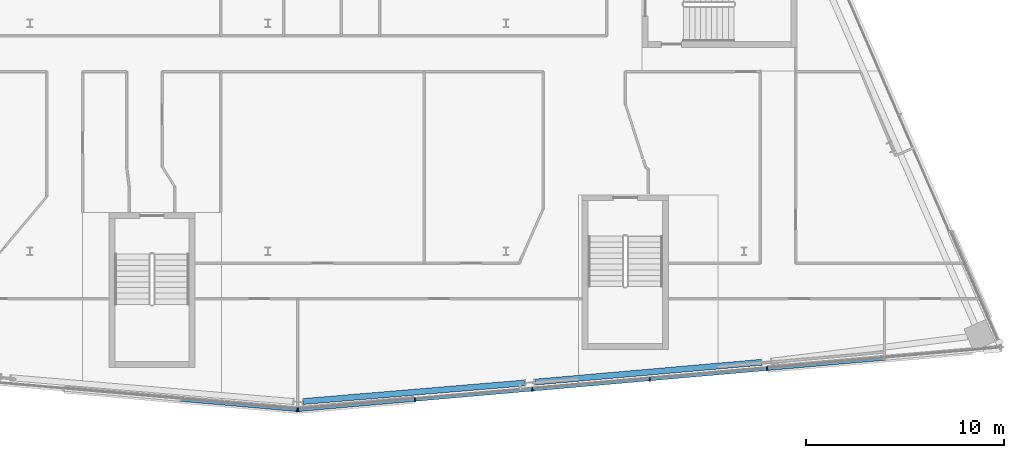
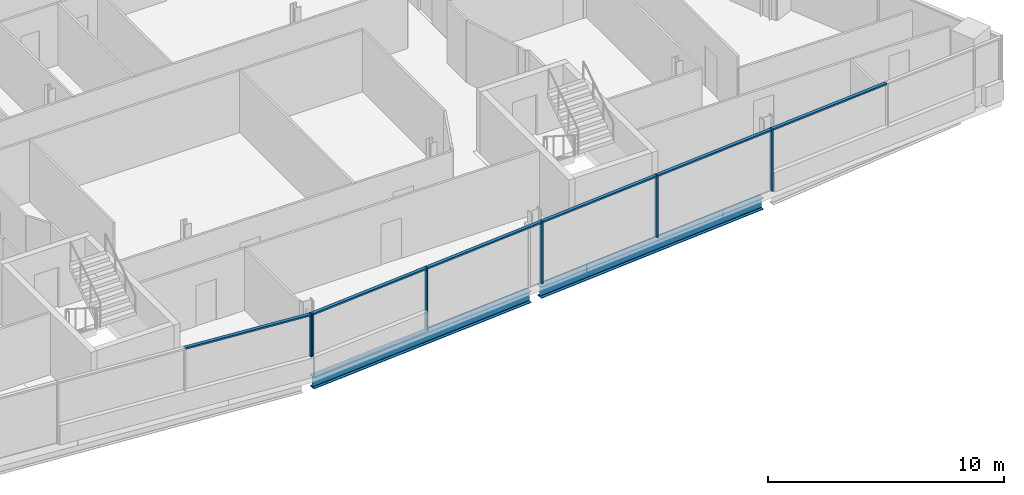
# One storey, part 7 of 22: 12 members, 2 beams, 2 elements without a shape of their own.
"""IFC4 building model written with IfcOpenShell, lengths in metres."""

from ifc_helpers import new_model, si_unit, direction, frame, origin, origin_2d, place, context, subcontext, project, spatial, rectangle, i_section, extrude, material, material_profile, profile_set, type_object, element, aggregate, save


model = new_model("IFC4")

# Units and contexts
model_context = context("Model", 3, precision=1e-05, world=origin(), true_north=direction((0.0, 1.0)))
body_context = subcontext(model_context, "Body", "Model", "MODEL_VIEW")
ifc_project = project(units=[si_unit("LENGTHUNIT", "METRE"), si_unit("AREAUNIT", "SQUARE_METRE"), si_unit("VOLUMEUNIT", "CUBIC_METRE"), si_unit("PLANEANGLEUNIT", "RADIAN"), si_unit("MASSUNIT", "GRAM", prefix="KILO")], contexts=[model_context])

# Site, building, storey
site_placement = place(None, origin())
site = spatial("IfcSite", under=ifc_project, at=site_placement, CompositionType="ELEMENT")
building_placement = place(site_placement, origin())
building = spatial("IfcBuilding", under=site, at=building_placement, Name="Wharfspan Tower", CompositionType="ELEMENT")
storey_placement = place(building_placement, frame((0.0, 0.0, 246.699951)))
storey = spatial("IfcBuildingStorey", under=building, at=storey_placement, Name="L62", CompositionType="ELEMENT", Elevation=246.699951)

# Beams
ifc_material_1 = material(Name="Steel S355J2", Category="steel")
ifc_material_profile_1 = material_profile(ifc_material_1, i_section(OverallWidth=0.300049, OverallDepth=0.600098, WebThickness=0.015381, FlangeThickness=0.030029, FilletRadius=0.0271, at=origin_2d()))
ifc_profile_set_1 = profile_set([ifc_material_profile_1], Name="Steel S355J2")
beam_type = type_object("IfcBeamType", Name="Edge beam HEB 600", PredefinedType="SPANDREL", material=ifc_profile_set_1)
beam_1_placement = place(storey_placement, frame((49.783691, 3.923828, -0.699951), z_axis=(0.996517, 0.083395, 0.0), x_axis=(-0.083395, 0.996517, 0.0)))
element("IfcBeam", 1, at=beam_1_placement, inside=storey, type_object=beam_type, Name="Edge beam S2 L62 PS1.3 to PS2.1", PredefinedType="SPANDREL", context=body_context, shape_type="SweptSolid", body=[
    extrude(i_section(OverallWidth=0.300049, OverallDepth=0.600098, WebThickness=0.015381, FlangeThickness=0.030029, FilletRadius=0.0271, at=origin_2d()), origin(), (0.0, 0.0, 1.0), 11.200684),
])
beam_2_placement = place(storey_placement, frame((61.459473, 4.901855, -0.699951), z_axis=(0.996195, 0.087157, 0.0), x_axis=(-0.087157, 0.996195, 0.0)))
element("IfcBeam", 2, at=beam_2_placement, inside=storey, type_object=beam_type, Name="Edge beam S2 L62 PS2.1 to PS2.2", PredefinedType="SPANDREL", context=body_context, shape_type="SweptSolid", body=[
    extrude(i_section(OverallWidth=0.300049, OverallDepth=0.600098, WebThickness=0.015381, FlangeThickness=0.030029, FilletRadius=0.0271, at=origin_2d()), origin(), (0.0, 0.0, 1.0), 11.462402),
])

# Curtain wall, member
ifc_material_2 = material(Name="Aluminium 6063-T6", Category="aluminium")
curtain_wall_type = type_object("IfcCurtainWallType", Name="CURTAIN WALL FACETED FRONT", PredefinedType="NOTDEFINED", material=ifc_material_2)
curtain_wall_1_placement = place(storey_placement, origin())
curtain_wall_1 = element("IfcCurtainWall", 3, at=curtain_wall_1_placement, inside=storey, type_object=curtain_wall_type, Name="Curtain wall S1", PredefinedType="NOTDEFINED")
ifc_material_profile_2 = material_profile(ifc_material_2, rectangle(XDim=0.199951, YDim=0.060059, at=origin_2d()))
ifc_profile_set_2 = profile_set([ifc_material_profile_2], Name="Aluminium 6063-T6")
member_type_1 = type_object("IfcMemberType", Name="MULLION FACETED FRONT 60x200", PredefinedType="MULLION", material=ifc_profile_set_2)
member_1_placement = place(storey_placement, frame((49.470215, 3.496826, 1.0), z_axis=(0.0, 0.0, 1.0), x_axis=(0.087156, 0.996197, 0.0)))
member_1 = element("IfcMember", 4, at=member_1_placement, type_object=member_type_1, Name="Curtain wall S1 mullion 6", PredefinedType="MULLION", context=body_context, shape_type="SweptSolid", body=[
    extrude(rectangle(XDim=0.199951, YDim=0.060059, at=origin_2d()), origin(), (0.0, 0.0, 1.0), 2.199951),
])

# Curtain wall, members
curtain_wall_2_placement = place(storey_placement, origin())
curtain_wall_2 = element("IfcCurtainWall", 5, at=curtain_wall_2_placement, inside=storey, type_object=curtain_wall_type, Name="Curtain wall S2", PredefinedType="NOTDEFINED")
member_2_placement = place(storey_placement, frame((49.529785, 3.496826, 1.0), z_axis=(0.0, 0.0, 1.0), x_axis=(-0.087156, 0.996197, 0.0)))
member_2 = element("IfcMember", 6, at=member_2_placement, type_object=member_type_1, Name="Curtain wall S2 mullion 1", PredefinedType="MULLION", context=body_context, shape_type="SweptSolid", body=[
    extrude(rectangle(XDim=0.199951, YDim=0.060059, at=origin_2d()), origin(), (0.0, 0.0, 1.0), 2.199951),
])
member_3_placement = place(storey_placement, frame((55.416748, 4.011719, 0.0), z_axis=(0.0, 0.0, 1.0), x_axis=(-0.087156, 0.996197, 0.0)))
member_3 = element("IfcMember", 7, at=member_3_placement, type_object=member_type_1, Name="Curtain wall S2 mullion 2", PredefinedType="MULLION", context=body_context, shape_type="SweptSolid", body=[
    extrude(rectangle(XDim=0.199951, YDim=0.060059, at=origin_2d()), origin(), (0.0, 0.0, 1.0), 3.199951),
])
member_4_placement = place(storey_placement, frame((61.333252, 4.529541, 0.0), z_axis=(0.0, 0.0, 1.0), x_axis=(-0.087156, 0.996197, 0.0)))
member_4 = element("IfcMember", 8, at=member_4_placement, type_object=member_type_1, Name="Curtain wall S2 mullion 3", PredefinedType="MULLION", context=body_context, shape_type="SweptSolid", body=[
    extrude(rectangle(XDim=0.199951, YDim=0.060059, at=origin_2d()), origin(), (0.0, 0.0, 1.0), 3.199951),
])
member_5_placement = place(storey_placement, frame((67.25, 5.047119, 0.0), z_axis=(0.0, 0.0, 1.0), x_axis=(-0.087156, 0.996197, 0.0)))
member_5 = element("IfcMember", 9, at=member_5_placement, type_object=member_type_1, Name="Curtain wall S2 mullion 4", PredefinedType="MULLION", context=body_context, shape_type="SweptSolid", body=[
    extrude(rectangle(XDim=0.199951, YDim=0.060059, at=origin_2d()), origin(), (0.0, 0.0, 1.0), 3.199951),
])
member_6_placement = place(storey_placement, frame((73.166748, 5.564697, 0.0), z_axis=(0.0, 0.0, 1.0), x_axis=(-0.087156, 0.996197, 0.0)))
member_6 = element("IfcMember", 10, at=member_6_placement, type_object=member_type_1, Name="Curtain wall S2 mullion 5", PredefinedType="MULLION", context=body_context, shape_type="SweptSolid", body=[
    extrude(rectangle(XDim=0.199951, YDim=0.060059, at=origin_2d()), origin(), (0.0, 0.0, 1.0), 3.199951),
])

# Member
ifc_material_profile_3 = material_profile(ifc_material_2, rectangle(XDim=0.159912, YDim=0.080078, at=origin_2d()))
ifc_profile_set_3 = profile_set([ifc_material_profile_3], Name="Aluminium 6063-T6")
member_type_2 = type_object("IfcMemberType", Name="TRANSOM FACETED FRONT 80x160", PredefinedType="USERDEFINED", material=ifc_profile_set_3)
member_7_placement = place(storey_placement, frame((43.629883, 4.007812, 3.160156), z_axis=(0.996192, -0.087191, 0.0), x_axis=(0.087191, 0.996192, 0.0)))
member_7 = element("IfcMember", 11, at=member_7_placement, type_object=member_type_2, Name="Curtain wall S1 transom 5", ObjectType="TRANSOM", PredefinedType="USERDEFINED", context=body_context, shape_type="SweptSolid", body=[
    extrude(rectangle(XDim=0.159912, YDim=0.080078, at=origin_2d()), origin(), (0.0, 0.0, 1.0), 5.83252),
])

aggregate(curtain_wall_1, [member_1, member_7])

member_8_placement = place(storey_placement, frame((49.559814, 3.499268, 3.160156), z_axis=(0.996191, 0.087193, 0.0), x_axis=(-0.087193, 0.996191, 0.0)))
member_8 = element("IfcMember", 12, at=member_8_placement, type_object=member_type_2, Name="Curtain wall S2 transom 1", ObjectType="TRANSOM", PredefinedType="USERDEFINED", context=body_context, shape_type="SweptSolid", body=[
    extrude(rectangle(XDim=0.159912, YDim=0.080078, at=origin_2d()), origin(), (0.0, 0.0, 1.0), 5.849121),
])

member_9_placement = place(storey_placement, frame((55.446533, 4.014404, 3.160156), z_axis=(0.996194, 0.087162, 0.0), x_axis=(-0.087162, 0.996194, 0.0)))
member_9 = element("IfcMember", 13, at=member_9_placement, type_object=member_type_2, Name="Curtain wall S2 transom 2", ObjectType="TRANSOM", PredefinedType="USERDEFINED", context=body_context, shape_type="SweptSolid", body=[
    extrude(rectangle(XDim=0.159912, YDim=0.080078, at=origin_2d()), origin(), (0.0, 0.0, 1.0), 5.879395),
])

member_10_placement = place(storey_placement, frame((61.363281, 4.531982, 3.160156), z_axis=(0.996194, 0.087162, 0.0), x_axis=(-0.087162, 0.996194, 0.0)))
member_10 = element("IfcMember", 14, at=member_10_placement, type_object=member_type_2, Name="Curtain wall S2 transom 3", ObjectType="TRANSOM", PredefinedType="USERDEFINED", context=body_context, shape_type="SweptSolid", body=[
    extrude(rectangle(XDim=0.159912, YDim=0.080078, at=origin_2d()), origin(), (0.0, 0.0, 1.0), 5.879395),
])

member_11_placement = place(storey_placement, frame((67.279785, 5.049805, 3.160156), z_axis=(0.996198, 0.087121, 0.0), x_axis=(-0.087121, 0.996198, 0.0)))
member_11 = element("IfcMember", 15, at=member_11_placement, type_object=member_type_2, Name="Curtain wall S2 transom 4", ObjectType="TRANSOM", PredefinedType="USERDEFINED", context=body_context, shape_type="SweptSolid", body=[
    extrude(rectangle(XDim=0.159912, YDim=0.080078, at=origin_2d()), origin(), (0.0, 0.0, 1.0), 5.879395),
])

member_12_placement = place(storey_placement, frame((73.196533, 5.567383, 3.160156), z_axis=(0.996194, 0.087162, 0.0), x_axis=(-0.087162, 0.996194, 0.0)))
member_12 = element("IfcMember", 16, at=member_12_placement, type_object=member_type_2, Name="Curtain wall S2 transom 5", ObjectType="TRANSOM", PredefinedType="USERDEFINED", context=body_context, shape_type="SweptSolid", body=[
    extrude(rectangle(XDim=0.159912, YDim=0.080078, at=origin_2d()), origin(), (0.0, 0.0, 1.0), 5.879395),
])

aggregate(curtain_wall_2, [member_2, member_3, member_4, member_5, member_6, member_8, member_9, member_10, member_11, member_12])

save(model, "model.ifc")
